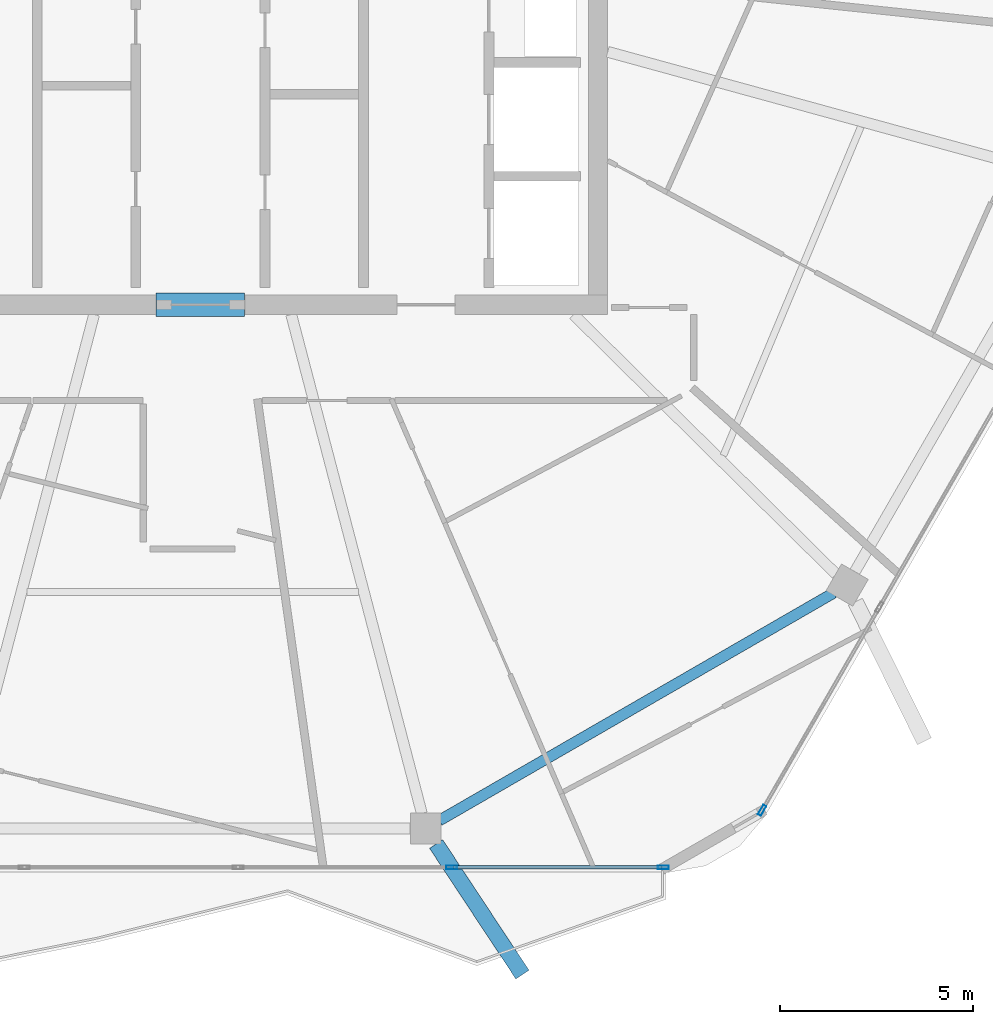
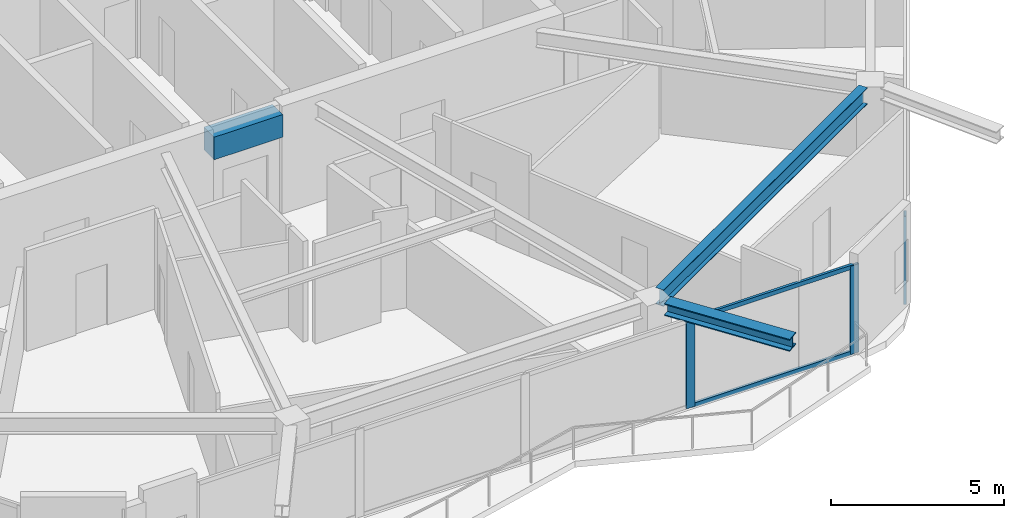
# One storey, part 5 of 20: 5 members, 3 beams, 2 elements without a shape of their own.
"""IFC4 building model written with IfcOpenShell, lengths in metres."""

from ifc_helpers import new_model, si_unit, direction, frame, origin, origin_2d, place, context, subcontext, project, spatial, rectangle, hollow_rectangle, i_section, extrude, material, material_profile, profile_set, type_object, element, aggregate, save


model = new_model("IFC4")

# Units and contexts
model_context = context("Model", 3, precision=1e-05, world=origin(), true_north=direction((0.0, 1.0)))
body_context = subcontext(model_context, "Body", "Model", "MODEL_VIEW")
ifc_project = project(units=[si_unit("LENGTHUNIT", "METRE"), si_unit("AREAUNIT", "SQUARE_METRE"), si_unit("VOLUMEUNIT", "CUBIC_METRE"), si_unit("PLANEANGLEUNIT", "RADIAN"), si_unit("MASSUNIT", "GRAM", prefix="KILO")], contexts=[model_context])

# Site, building, storey
site_placement = place(None, origin())
site = spatial("IfcSite", under=ifc_project, at=site_placement, CompositionType="ELEMENT")
building_placement = place(site_placement, origin())
building = spatial("IfcBuilding", under=site, at=building_placement, Name="Zuhravey Tower", CompositionType="ELEMENT")
storey_placement = place(building_placement, frame((0.0, 0.0, 312.0)))
storey = spatial("IfcBuildingStorey", under=building, at=storey_placement, Name="L79", CompositionType="ELEMENT", Elevation=312.0)

# Beam
ifc_material_1 = material(Name="Concrete C50/60", Category="concrete")
ifc_material_profile_1 = material_profile(ifc_material_1, rectangle(XDim=0.60009765625, YDim=0.800048828125, at=origin_2d()), Name="RC-600x800")
ifc_profile_set_1 = profile_set([ifc_material_profile_1], Name="Concrete C50/60")
beam_type_1 = type_object("IfcBeamType", Name="Core Coupling Beam RC600x800", PredefinedType="LINTEL", material=ifc_profile_set_1)
beam_1_placement = place(storey_placement, frame((35.052001953125, 22.5, 3.14990234375), z_axis=(1.0, 0.0, 0.0), x_axis=(0.0, 1.0, 0.0)))
element("IfcBeam", 1, at=beam_1_placement, inside=storey, type_object=beam_type_1, Name="L79 CB2 BM-L79-CB-S", PredefinedType="LINTEL", context=body_context, shape_type="SweptSolid", body=[
    extrude(rectangle(XDim=0.60009765625, YDim=0.800048828125, at=origin_2d()), origin(), (0.0, 0.0, 1.0), 2.2958984375),
])

# Curtain wall, member
ifc_material_2 = material(Name="Thermally broken anodised aluminium", Category="aluminium")
curtain_wall_type = type_object("IfcCurtainWallType", Name="Zone 3-4 High-Rise Curtain Wall CW4", PredefinedType="NOTDEFINED", material=ifc_material_2)
curtain_wall_1_placement = place(storey_placement, origin())
curtain_wall_1 = element("IfcCurtainWall", 2, at=curtain_wall_1_placement, inside=storey, type_object=curtain_wall_type, Name="L79 CW4 CW-L79-F6-1", PredefinedType="NOTDEFINED")
ifc_material_3 = material(Name="Anodised aluminium", Category="aluminium")
ifc_material_profile_2 = material_profile(ifc_material_3, hollow_rectangle(XDim=0.090087890625, YDim=0.284912109375, WallThickness=0.0048828125, at=origin_2d()), Name="ALU-RHS-90x285x5")
ifc_profile_set_2 = profile_set([ifc_material_profile_2], Name="Anodised aluminium")
member_type_1 = type_object("IfcMemberType", Name="Curtain-Wall Mullion 90x180", PredefinedType="MULLION", material=ifc_profile_set_2)
member_1_placement = place(storey_placement, frame((50.751708984375, 9.40234375, 0.0), z_axis=(0.0, 0.0, 1.0), x_axis=(0.866025511541, -0.49999981336, 0.0)))
member_1 = element("IfcMember", 3, at=member_1_placement, type_object=member_type_1, Name="CW4 mullion 5", PredefinedType="MULLION", context=body_context, shape_type="SweptSolid", body=[
    extrude(hollow_rectangle(XDim=0.090087890625, YDim=0.284912109375, WallThickness=0.0048828125, at=origin_2d()), origin(), (0.0, 0.0, 1.0), 3.1220703125),
])
aggregate(curtain_wall_1, [member_1])

# Curtain wall, members
curtain_wall_2_placement = place(storey_placement, origin())
curtain_wall_2 = element("IfcCurtainWall", 4, at=curtain_wall_2_placement, inside=storey, type_object=curtain_wall_type, Name="L79 CW4 CW-L79-F5-1", PredefinedType="NOTDEFINED")
member_2_placement = place(storey_placement, frame((48.1943359375, 7.92578125, 0.0), z_axis=(0.0, 0.0, 1.0), x_axis=(0.0, -1.0, 0.0)))
member_2 = element("IfcMember", 5, at=member_2_placement, type_object=member_type_1, Name="CW4 mullion 1", PredefinedType="MULLION", context=body_context, shape_type="SweptSolid", body=[
    extrude(hollow_rectangle(XDim=0.090087890625, YDim=0.284912109375, WallThickness=0.0048828125, at=origin_2d()), origin(), (0.0, 0.0, 1.0), 3.1220703125),
])
member_3_placement = place(storey_placement, frame((42.70703125, 7.92578125, 0.0), z_axis=(0.0, 0.0, 1.0), x_axis=(0.0, -1.0, 0.0)))
member_3 = element("IfcMember", 6, at=member_3_placement, type_object=member_type_1, Name="CW4 mullion 2", PredefinedType="MULLION", context=body_context, shape_type="SweptSolid", body=[
    extrude(hollow_rectangle(XDim=0.090087890625, YDim=0.284912109375, WallThickness=0.0048828125, at=origin_2d()), origin(), (0.0, 0.0, 1.0), 3.1220703125),
])
ifc_material_profile_3 = material_profile(ifc_material_3, hollow_rectangle(XDim=0.090087890625, YDim=0.14990234375, WallThickness=0.0048828125, at=origin_2d()), Name="ALU-RHS-90x150x5")
ifc_profile_set_3 = profile_set([ifc_material_profile_3], Name="Anodised aluminium")
member_type_2 = type_object("IfcMemberType", Name="Curtain-Wall Transom 90x150", PredefinedType="USERDEFINED", material=ifc_profile_set_3)
member_4_placement = place(storey_placement, frame((48.1494140625, 7.92578125, 0.044921875), z_axis=(-1.0, 0.0, 0.0), x_axis=(0.0, -1.0, 0.0)))
member_4 = element("IfcMember", 7, at=member_4_placement, type_object=member_type_2, Name="CW4 transom 1.1", ObjectType="TRANSOM", PredefinedType="USERDEFINED", context=body_context, shape_type="SweptSolid", body=[
    extrude(hollow_rectangle(XDim=0.090087890625, YDim=0.14990234375, WallThickness=0.0048828125, at=origin_2d()), origin(), (0.0, 0.0, 1.0), 5.397216796875),
])
member_5_placement = place(storey_placement, frame((48.1494140625, 7.92578125, 3.076904296875), z_axis=(-1.0, 0.0, 0.0), x_axis=(0.0, -1.0, 0.0)))
member_5 = element("IfcMember", 8, at=member_5_placement, type_object=member_type_2, Name="CW4 transom 1.2", ObjectType="TRANSOM", PredefinedType="USERDEFINED", context=body_context, shape_type="SweptSolid", body=[
    extrude(hollow_rectangle(XDim=0.090087890625, YDim=0.14990234375, WallThickness=0.0048828125, at=origin_2d()), origin(), (0.0, 0.0, 1.0), 5.397216796875),
])
aggregate(curtain_wall_2, [member_2, member_3, member_4, member_5])

# Beams
ifc_material_4 = material(Name="Steel SM460", Category="steel")
ifc_material_profile_4 = material_profile(ifc_material_4, i_section(OverallWidth=0.406982421875, OverallDepth=0.427978515625, WebThickness=0.02001953125, FlangeThickness=0.034912109375, at=origin_2d()), Name="H-428x407x20x35")
ifc_profile_set_4 = profile_set([ifc_material_profile_4], Name="Steel SM460")
beam_type_2 = type_object("IfcBeamType", Name="Exoskeleton Node Tie Beam H428x407", PredefinedType="BEAM", material=ifc_profile_set_4)
beam_2_placement = place(storey_placement, frame((42.30517578125, 8.532470703125, 3.3359375), z_axis=(0.551292431116, -0.83431208513, 0.0), x_axis=(0.83431208513, 0.551292431116, 0.0)))
element("IfcBeam", 9, at=beam_2_placement, inside=storey, type_object=beam_type_2, Name="L79 Exoskeleton Node Tie NT1-10", PredefinedType="BEAM", context=body_context, shape_type="SweptSolid", body=[
    extrude(i_section(OverallWidth=0.406982421875, OverallDepth=0.427978515625, WebThickness=0.02001953125, FlangeThickness=0.034912109375, at=origin_2d()), origin(), (0.0, 0.0, 1.0), 4.05615234375),
])
ifc_material_5 = material(Name="Steel SM355", Category="steel")
ifc_material_profile_5 = material_profile(ifc_material_5, i_section(OverallWidth=0.280029296875, OverallDepth=0.580078125, WebThickness=0.011962890625, FlangeThickness=0.01904296875, at=origin_2d()), Name="H-580x280x12x19")
ifc_profile_set_5 = profile_set([ifc_material_profile_5], Name="Steel SM355")
beam_type_3 = type_object("IfcBeamType", Name="Perimeter Ring Beam H580x280", PredefinedType="BEAM", material=ifc_profile_set_5)
beam_3_placement = place(storey_placement, frame((42.3876953125, 9.137451171875, 3.260009765625), z_axis=(0.866023977509, 0.500002470373, 0.0), x_axis=(-0.500002470373, 0.866023977509, 0.0)))
element("IfcBeam", 10, at=beam_3_placement, inside=storey, type_object=beam_type_3, Name="L79 PB4 BM-L79-PB-10", PredefinedType="BEAM", context=body_context, shape_type="SweptSolid", body=[
    extrude(i_section(OverallWidth=0.280029296875, OverallDepth=0.580078125, WebThickness=0.011962890625, FlangeThickness=0.01904296875, at=origin_2d()), origin(), (0.0, 0.0, 1.0), 11.798828125),
])

save(model, "model.ifc")
